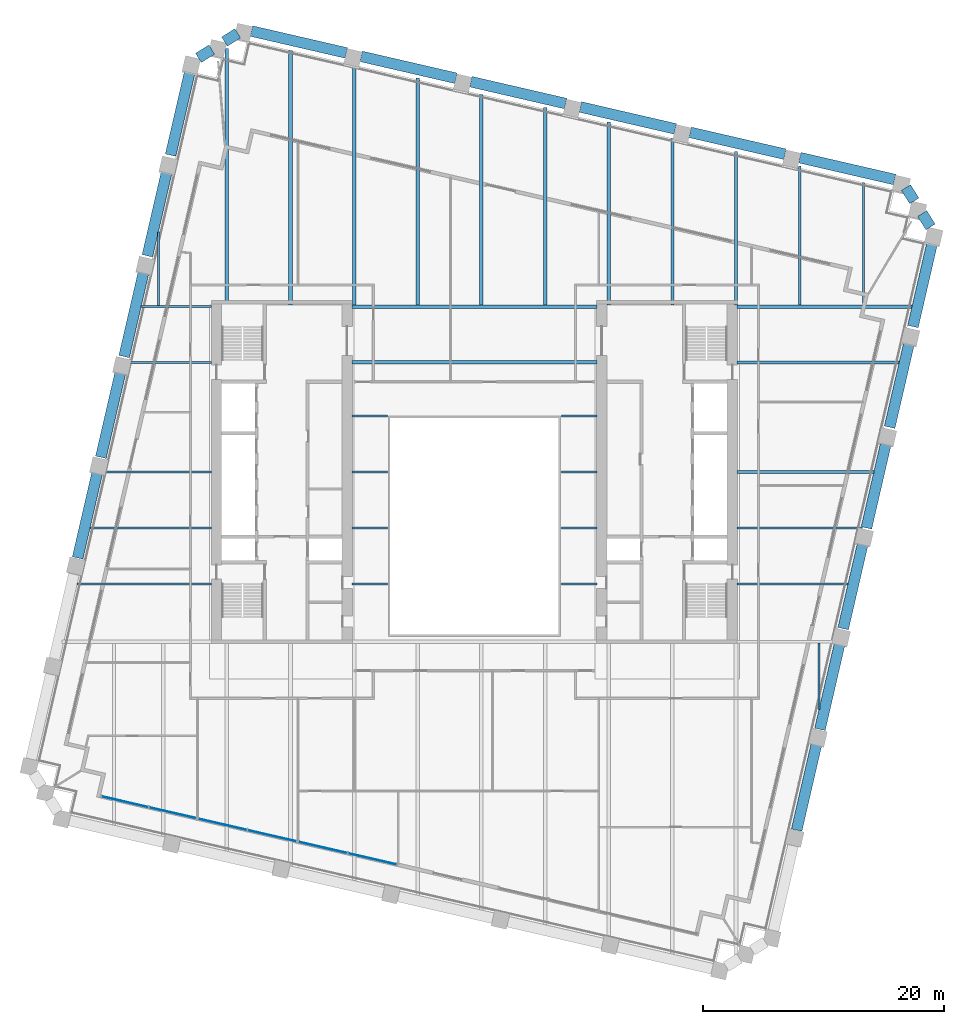
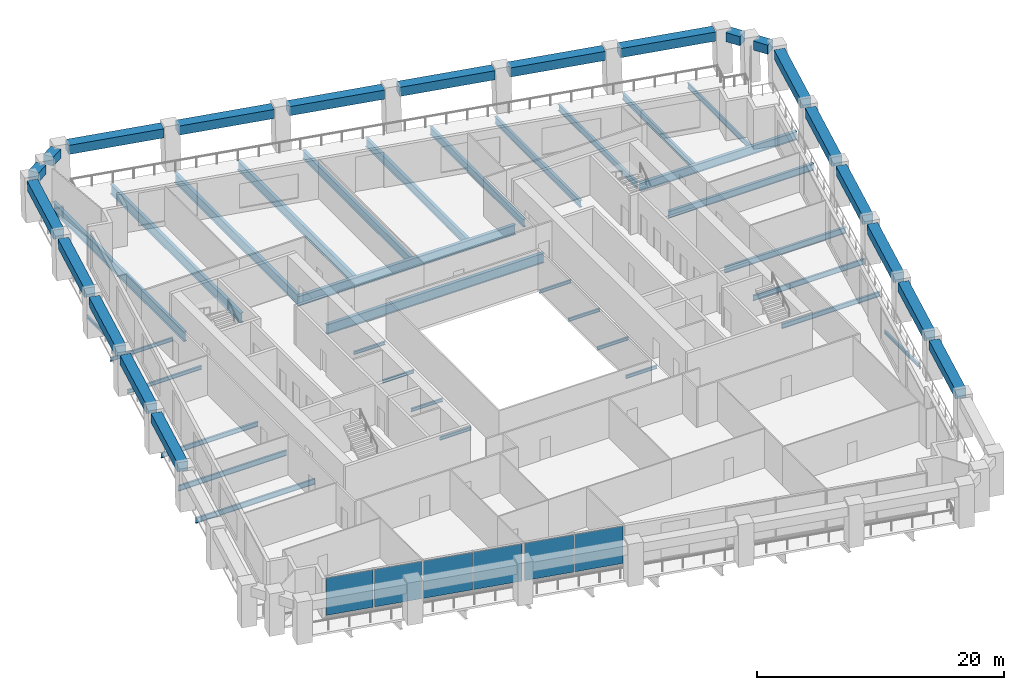
# One storey, part 4 of 12: 54 beams, 6 plates, 3 elements without a shape of their own.
"""IFC4 building model written with IfcOpenShell, lengths in metres."""

from ifc_helpers import new_model, si_unit, direction, frame, origin, origin_2d, place, context, subcontext, project, spatial, rectangle, i_section, extrude, material, layer, layer_set, material_profile, profile_set, type_object, element, aggregate, save


model = new_model("IFC4")

# Units and contexts
model_context = context("Model", 3, precision=1e-05, world=origin(), true_north=direction((0.0, 1.0)))
body_context = subcontext(model_context, "Body", "Model", "MODEL_VIEW")
ifc_project = project(units=[si_unit("LENGTHUNIT", "METRE"), si_unit("AREAUNIT", "SQUARE_METRE"), si_unit("VOLUMEUNIT", "CUBIC_METRE"), si_unit("PLANEANGLEUNIT", "RADIAN"), si_unit("MASSUNIT", "GRAM", prefix="KILO")], contexts=[model_context])

# Site, building, storey
site_placement = place(None, origin())
site = spatial("IfcSite", under=ifc_project, at=site_placement, CompositionType="ELEMENT")
building_placement = place(site_placement, origin())
building = spatial("IfcBuilding", under=site, at=building_placement, Name="Ogive Exchange Tower", CompositionType="ELEMENT")
storey_placement = place(building_placement, frame((0.0, 0.0, 156.0)))
storey = spatial("IfcBuildingStorey", under=building, at=storey_placement, Name="L34", CompositionType="ELEMENT", Elevation=156.0)

# Beams
ifc_material_1 = material(Name="Steel ASTM A992 Gr50", Category="steel")
ifc_material_profile_1 = material_profile(ifc_material_1, i_section(OverallWidth=0.300048828125, OverallDepth=0.969970703125, WebThickness=0.01611328125, FlangeThickness=0.02099609375, at=origin_2d()), Name="W1000x222")
ifc_profile_set_1 = profile_set([ifc_material_profile_1], Name="Steel ASTM A992 Gr50")
beam_type_1 = type_object("IfcBeamType", Name="Floor beam W1000x222", PredefinedType="JOIST", material=ifc_profile_set_1)
beam_1_placement = place(storey_placement, frame((-10.169921875, 20.62255859375, -0.735107421875), z_axis=(1.0, 0.0, 0.0), x_axis=(0.0, 1.0, 0.0)))
element("IfcBeam", 1, at=beam_1_placement, inside=storey, type_object=beam_type_1, Name="Floor beam", PredefinedType="JOIST", context=body_context, shape_type="SweptSolid", body=[
    extrude(i_section(OverallWidth=0.300048828125, OverallDepth=0.969970703125, WebThickness=0.01611328125, FlangeThickness=0.02099609375, at=origin_2d()), origin(), (0.0, 0.0, 1.0), 20.33984375),
])
beam_2_placement = place(storey_placement, frame((-9.99951171875, 25.39501953125, -0.735107421875), z_axis=(0.0, 1.0, 0.0), x_axis=(-1.0, 0.0, 0.0)))
element("IfcBeam", 2, at=beam_2_placement, inside=storey, type_object=beam_type_1, Name="Floor beam", PredefinedType="JOIST", context=body_context, shape_type="SweptSolid", body=[
    extrude(i_section(OverallWidth=0.300048828125, OverallDepth=0.969970703125, WebThickness=0.01611328125, FlangeThickness=0.02099609375, at=origin_2d()), origin(), (0.0, 0.0, 1.0), 19.9267578125),
])
ifc_material_profile_2 = material_profile(ifc_material_1, i_section(OverallWidth=0.300048828125, OverallDepth=0.97998046875, WebThickness=0.0166015625, FlangeThickness=0.026123046875, at=origin_2d()), Name="W1000x249")
ifc_profile_set_2 = profile_set([ifc_material_profile_2], Name="Steel ASTM A992 Gr50")
beam_type_2 = type_object("IfcBeamType", Name="Floor beam W1000x249", PredefinedType="JOIST", material=ifc_profile_set_2)
beam_3_placement = place(storey_placement, frame((-20.575927734375, 25.39990234375, -0.739990234375), z_axis=(0.0, 1.0, 0.0), x_axis=(-1.0, 0.0, 0.0)))
element("IfcBeam", 3, at=beam_3_placement, inside=storey, type_object=beam_type_2, Name="Floor beam", PredefinedType="JOIST", context=body_context, shape_type="SweptSolid", body=[
    extrude(i_section(OverallWidth=0.300048828125, OverallDepth=0.97998046875, WebThickness=0.0166015625, FlangeThickness=0.026123046875, at=origin_2d()), origin(), (0.0, 0.0, 1.0), 21.290283203125),
])
beam_4_placement = place(storey_placement, frame((-15.28759765625, 25.39990234375, -0.739990234375), z_axis=(0.0, 1.0, 0.0), x_axis=(-1.0, 0.0, 0.0)))
element("IfcBeam", 4, at=beam_4_placement, inside=storey, type_object=beam_type_2, Name="Floor beam", PredefinedType="JOIST", context=body_context, shape_type="SweptSolid", body=[
    extrude(i_section(OverallWidth=0.300048828125, OverallDepth=0.97998046875, WebThickness=0.0166015625, FlangeThickness=0.026123046875, at=origin_2d()), origin(), (0.0, 0.0, 1.0), 21.142578125),
])
ifc_material_profile_3 = material_profile(ifc_material_1, i_section(OverallWidth=0.1650390625, OverallDepth=0.31005859375, WebThickness=0.005859375, FlangeThickness=0.009765625, at=origin_2d()), Name="W310x38.7")
ifc_profile_set_3 = profile_set([ifc_material_profile_3], Name="Steel ASTM A992 Gr50")
beam_type_3 = type_object("IfcBeamType", Name="Floor beam W310x38.7", PredefinedType="JOIST", material=ifc_profile_set_3)
for number, where, z_axis, x_axis, name in (
    (5, (-10.169921875, 2.208740234375, -0.405029296875), (1.0, 0.0, 0.0), (0.0, 1.0, 0.0), "Floor beam"),
    (6, (7.219970703125, 2.208740234375, -0.405029296875), (1.0, 0.0, 0.0), (0.0, 1.0, 0.0), "Floor beam"),
    (7, (-10.169921875, 6.857421875, -0.405029296875), (1.0, 0.0, 0.0), (0.0, 1.0, 0.0), "Floor beam"),
    (8, (7.219970703125, 6.857421875, -0.405029296875), (1.0, 0.0, 0.0), (0.0, 1.0, 0.0), "Floor beam"),
    (9, (-10.169921875, 11.50634765625, -0.405029296875), (1.0, 0.0, 0.0), (0.0, 1.0, 0.0), "Floor beam"),
    (10, (7.219970703125, 11.50634765625, -0.405029296875), (1.0, 0.0, 0.0), (0.0, 1.0, 0.0), "Floor beam"),
):
    element("IfcBeam", number, at=place(storey_placement, frame(where, z_axis=z_axis, x_axis=x_axis)), inside=storey, type_object=beam_type_3, Name=name, PredefinedType="JOIST", context=body_context, shape_type="SweptSolid", body=[
        extrude(i_section(OverallWidth=0.1650390625, OverallDepth=0.31005859375, WebThickness=0.005859375, FlangeThickness=0.009765625, at=origin_2d()), origin(), (0.0, 0.0, 1.0), 2.949951171875),
    ])
beam_5_placement = place(storey_placement, frame((28.617431640625, -8.2412109375, -0.405029296875), z_axis=(0.0, 1.0, 0.0), x_axis=(-1.0, 0.0, 0.0)))
element("IfcBeam", 11, at=beam_5_placement, inside=storey, type_object=beam_type_3, Name="Floor beam", PredefinedType="JOIST", context=body_context, shape_type="SweptSolid", body=[
    extrude(i_section(OverallWidth=0.1650390625, OverallDepth=0.31005859375, WebThickness=0.005859375, FlangeThickness=0.009765625, at=origin_2d()), origin(), (0.0, 0.0, 1.0), 5.55078125),
])
beam_6_placement = place(storey_placement, frame((-26.263916015625, 25.33056640625, -0.405029296875), z_axis=(0.0, 1.0, 0.0), x_axis=(-1.0, 0.0, 0.0)))
element("IfcBeam", 12, at=beam_6_placement, inside=storey, type_object=beam_type_3, Name="Floor beam", PredefinedType="JOIST", context=body_context, shape_type="SweptSolid", body=[
    extrude(i_section(OverallWidth=0.1650390625, OverallDepth=0.31005859375, WebThickness=0.005859375, FlangeThickness=0.009765625, at=origin_2d()), origin(), (0.0, 0.0, 1.0), 6.1044921875),
])
ifc_material_profile_4 = material_profile(ifc_material_1, i_section(OverallWidth=0.1708984375, OverallDepth=0.35595703125, WebThickness=0.00732421875, FlangeThickness=0.01171875, at=origin_2d()), Name="W360x51")
ifc_profile_set_4 = profile_set([ifc_material_profile_4], Name="Steel ASTM A992 Gr50")
beam_type_4 = type_object("IfcBeamType", Name="Floor beam W360x51", PredefinedType="JOIST", material=ifc_profile_set_4)
beam_7_placement = place(storey_placement, frame((-28.76025390625, 20.62255859375, -0.427978515625), z_axis=(1.0, 0.0, 0.0), x_axis=(0.0, 1.0, 0.0)))
element("IfcBeam", 13, at=beam_7_placement, inside=storey, type_object=beam_type_4, Name="Floor beam", PredefinedType="JOIST", context=body_context, shape_type="SweptSolid", body=[
    extrude(i_section(OverallWidth=0.1708984375, OverallDepth=0.35595703125, WebThickness=0.00732421875, FlangeThickness=0.01171875, at=origin_2d()), origin(), (0.0, 0.0, 1.0), 6.93017578125),
])
ifc_material_profile_5 = material_profile(ifc_material_1, i_section(OverallWidth=0.19091796875, OverallDepth=0.45703125, WebThickness=0.009033203125, FlangeThickness=0.014404296875, at=origin_2d()), Name="W460x74")
ifc_profile_set_5 = profile_set([ifc_material_profile_5], Name="Steel ASTM A992 Gr50")
beam_type_5 = type_object("IfcBeamType", Name="Floor beam W460x74", PredefinedType="JOIST", material=ifc_profile_set_5)
beam_8_placement = place(storey_placement, frame((21.830078125, 2.208740234375, -0.478515625), z_axis=(1.0, 0.0, 0.0), x_axis=(0.0, 1.0, 0.0)))
element("IfcBeam", 14, at=beam_8_placement, inside=storey, type_object=beam_type_5, Name="Floor beam", PredefinedType="JOIST", context=body_context, shape_type="SweptSolid", body=[
    extrude(i_section(OverallWidth=0.19091796875, OverallDepth=0.45703125, WebThickness=0.009033203125, FlangeThickness=0.014404296875, at=origin_2d()), origin(), (0.0, 0.0, 1.0), 9.199951171875),
])
beam_9_placement = place(storey_placement, frame((-30.864990234375, 11.50634765625, -0.478515625), z_axis=(1.0, 0.0, 0.0), x_axis=(0.0, 1.0, 0.0)))
element("IfcBeam", 15, at=beam_9_placement, inside=storey, type_object=beam_type_5, Name="Floor beam", PredefinedType="JOIST", context=body_context, shape_type="SweptSolid", body=[
    extrude(i_section(OverallWidth=0.19091796875, OverallDepth=0.45703125, WebThickness=0.009033203125, FlangeThickness=0.014404296875, at=origin_2d()), origin(), (0.0, 0.0, 1.0), 9.034912109375),
])
ifc_material_profile_6 = material_profile(ifc_material_1, i_section(OverallWidth=0.1669921875, OverallDepth=0.535888671875, WebThickness=0.01025390625, FlangeThickness=0.0166015625, at=origin_2d()), Name="W530x85")
ifc_profile_set_6 = profile_set([ifc_material_profile_6], Name="Steel ASTM A992 Gr50")
beam_type_6 = type_object("IfcBeamType", Name="Floor beam W530x85", PredefinedType="JOIST", material=ifc_profile_set_6)
beam_10_placement = place(storey_placement, frame((-33.011474609375, 2.208740234375, -0.51806640625), z_axis=(1.0, 0.0, 0.0), x_axis=(0.0, 1.0, 0.0)))
element("IfcBeam", 16, at=beam_10_placement, inside=storey, type_object=beam_type_6, Name="Floor beam", PredefinedType="JOIST", context=body_context, shape_type="SweptSolid", body=[
    extrude(i_section(OverallWidth=0.1669921875, OverallDepth=0.535888671875, WebThickness=0.01025390625, FlangeThickness=0.0166015625, at=origin_2d()), origin(), (0.0, 0.0, 1.0), 11.181396484375),
])
beam_11_placement = place(storey_placement, frame((-31.938232421875, 6.857421875, -0.51806640625), z_axis=(1.0, 0.0, 0.0), x_axis=(0.0, 1.0, 0.0)))
element("IfcBeam", 17, at=beam_11_placement, inside=storey, type_object=beam_type_6, Name="Floor beam", PredefinedType="JOIST", context=body_context, shape_type="SweptSolid", body=[
    extrude(i_section(OverallWidth=0.1669921875, OverallDepth=0.535888671875, WebThickness=0.01025390625, FlangeThickness=0.0166015625, at=origin_2d()), origin(), (0.0, 0.0, 1.0), 10.108154296875),
])
beam_12_placement = place(storey_placement, frame((21.830078125, 6.857421875, -0.51806640625), z_axis=(1.0, 0.0, 0.0), x_axis=(0.0, 1.0, 0.0)))
element("IfcBeam", 18, at=beam_12_placement, inside=storey, type_object=beam_type_6, Name="Floor beam", PredefinedType="JOIST", context=body_context, shape_type="SweptSolid", body=[
    extrude(i_section(OverallWidth=0.1669921875, OverallDepth=0.535888671875, WebThickness=0.01025390625, FlangeThickness=0.0166015625, at=origin_2d()), origin(), (0.0, 0.0, 1.0), 10.423095703125),
])
beam_13_placement = place(storey_placement, frame((32.305419921875, 25.39111328125, -0.51806640625), z_axis=(0.0, 1.0, 0.0), x_axis=(-1.0, 0.0, 0.0)))
element("IfcBeam", 19, at=beam_13_placement, inside=storey, type_object=beam_type_6, Name="Floor beam", PredefinedType="JOIST", context=body_context, shape_type="SweptSolid", body=[
    extrude(i_section(OverallWidth=0.1669921875, OverallDepth=0.535888671875, WebThickness=0.01025390625, FlangeThickness=0.0166015625, at=origin_2d()), origin(), (0.0, 0.0, 1.0), 10.16357421875),
])
ifc_material_profile_7 = material_profile(ifc_material_1, i_section(OverallWidth=0.22802734375, OverallDepth=0.60205078125, WebThickness=0.010498046875, FlangeThickness=0.014892578125, at=origin_2d()), Name="W610x101")
ifc_profile_set_7 = profile_set([ifc_material_profile_7], Name="Steel ASTM A992 Gr50")
beam_type_7 = type_object("IfcBeamType", Name="Floor beam W610x101", PredefinedType="JOIST", material=ifc_profile_set_7)
beam_14_placement = place(storey_placement, frame((21.830078125, 11.50634765625, -0.551025390625), z_axis=(1.0, 0.0, 0.0), x_axis=(0.0, 1.0, 0.0)))
element("IfcBeam", 20, at=beam_14_placement, inside=storey, type_object=beam_type_7, Name="Floor beam", PredefinedType="JOIST", context=body_context, shape_type="SweptSolid", body=[
    extrude(i_section(OverallWidth=0.22802734375, OverallDepth=0.60205078125, WebThickness=0.010498046875, FlangeThickness=0.014892578125, at=origin_2d()), origin(), (0.0, 0.0, 1.0), 11.346435546875),
])
beam_15_placement = place(storey_placement, frame((27.017333984375, 25.39111328125, -0.551025390625), z_axis=(0.0, 1.0, 0.0), x_axis=(-1.0, 0.0, 0.0)))
element("IfcBeam", 21, at=beam_15_placement, inside=storey, type_object=beam_type_7, Name="Floor beam", PredefinedType="JOIST", context=body_context, shape_type="SweptSolid", body=[
    extrude(i_section(OverallWidth=0.22802734375, OverallDepth=0.60205078125, WebThickness=0.010498046875, FlangeThickness=0.014892578125, at=origin_2d()), origin(), (0.0, 0.0, 1.0), 11.534423828125),
])
ifc_material_profile_8 = material_profile(ifc_material_1, i_section(OverallWidth=0.22900390625, OverallDepth=0.612060546875, WebThickness=0.011962890625, FlangeThickness=0.01953125, at=origin_2d()), Name="W610x125")
ifc_profile_set_8 = profile_set([ifc_material_profile_8], Name="Steel ASTM A992 Gr50")
beam_type_8 = type_object("IfcBeamType", Name="Floor beam W610x125", PredefinedType="JOIST", material=ifc_profile_set_8)
beam_16_placement = place(storey_placement, frame((21.729248046875, 25.39990234375, -0.555908203125), z_axis=(0.0, 1.0, 0.0), x_axis=(-1.0, 0.0, 0.0)))
element("IfcBeam", 22, at=beam_16_placement, inside=storey, type_object=beam_type_8, Name="Floor beam", PredefinedType="JOIST", context=body_context, shape_type="SweptSolid", body=[
    extrude(i_section(OverallWidth=0.22900390625, OverallDepth=0.612060546875, WebThickness=0.011962890625, FlangeThickness=0.01953125, at=origin_2d()), origin(), (0.0, 0.0, 1.0), 12.74658203125),
])
ifc_material_profile_9 = material_profile(ifc_material_1, i_section(OverallWidth=0.25390625, OverallDepth=0.677978515625, WebThickness=0.01171875, FlangeThickness=0.016357421875, at=origin_2d()), Name="W690x125")
ifc_profile_set_9 = profile_set([ifc_material_profile_9], Name="Steel ASTM A992 Gr50")
beam_type_9 = type_object("IfcBeamType", Name="Floor beam W690x125", PredefinedType="JOIST", material=ifc_profile_set_9)
beam_17_placement = place(storey_placement, frame((21.830078125, 20.62255859375, -0.589111328125), z_axis=(1.0, 0.0, 0.0), x_axis=(0.0, 1.0, 0.0)))
element("IfcBeam", 23, at=beam_17_placement, inside=storey, type_object=beam_type_9, Name="Floor beam", PredefinedType="JOIST", context=body_context, shape_type="SweptSolid", body=[
    extrude(i_section(OverallWidth=0.25390625, OverallDepth=0.677978515625, WebThickness=0.01171875, FlangeThickness=0.016357421875, at=origin_2d()), origin(), (0.0, 0.0, 1.0), 13.60107421875),
])
beam_18_placement = place(storey_placement, frame((16.441162109375, 25.39990234375, -0.589111328125), z_axis=(0.0, 1.0, 0.0), x_axis=(-1.0, 0.0, 0.0)))
element("IfcBeam", 24, at=beam_18_placement, inside=storey, type_object=beam_type_9, Name="Floor beam", PredefinedType="JOIST", context=body_context, shape_type="SweptSolid", body=[
    extrude(i_section(OverallWidth=0.25390625, OverallDepth=0.677978515625, WebThickness=0.01171875, FlangeThickness=0.016357421875, at=origin_2d()), origin(), (0.0, 0.0, 1.0), 13.8173828125),
])
ifc_material_profile_10 = material_profile(ifc_material_1, i_section(OverallWidth=0.26708984375, OverallDepth=0.75390625, WebThickness=0.01318359375, FlangeThickness=0.01708984375, at=origin_2d()), Name="W760x147")
ifc_profile_set_10 = profile_set([ifc_material_profile_10], Name="Steel ASTM A992 Gr50")
beam_type_10 = type_object("IfcBeamType", Name="Floor beam W760x147", PredefinedType="JOIST", material=ifc_profile_set_10)
beam_19_placement = place(storey_placement, frame((11.153076171875, 25.39990234375, -0.626953125), z_axis=(0.0, 1.0, 0.0), x_axis=(-1.0, 0.0, 0.0)))
element("IfcBeam", 25, at=beam_19_placement, inside=storey, type_object=beam_type_10, Name="Floor beam", PredefinedType="JOIST", context=body_context, shape_type="SweptSolid", body=[
    extrude(i_section(OverallWidth=0.26708984375, OverallDepth=0.75390625, WebThickness=0.01318359375, FlangeThickness=0.01708984375, at=origin_2d()), origin(), (0.0, 0.0, 1.0), 15.188232421875),
])
ifc_material_profile_11 = material_profile(ifc_material_1, i_section(OverallWidth=0.2919921875, OverallDepth=0.8359375, WebThickness=0.013916015625, FlangeThickness=0.018798828125, at=origin_2d()), Name="W840x176")
ifc_profile_set_11 = profile_set([ifc_material_profile_11], Name="Steel ASTM A992 Gr50")
beam_type_11 = type_object("IfcBeamType", Name="Floor beam W840x176", PredefinedType="JOIST", material=ifc_profile_set_11)
beam_20_placement = place(storey_placement, frame((0.57666015625, 25.39501953125, -0.66796875), z_axis=(0.0, 1.0, 0.0), x_axis=(-1.0, 0.0, 0.0)))
element("IfcBeam", 26, at=beam_20_placement, inside=storey, type_object=beam_type_11, Name="Floor beam", PredefinedType="JOIST", context=body_context, shape_type="SweptSolid", body=[
    extrude(i_section(OverallWidth=0.2919921875, OverallDepth=0.8359375, WebThickness=0.013916015625, FlangeThickness=0.018798828125, at=origin_2d()), origin(), (0.0, 0.0, 1.0), 17.48486328125),
])
beam_21_placement = place(storey_placement, frame((5.86474609375, 25.39501953125, -0.66796875), z_axis=(0.0, 1.0, 0.0), x_axis=(-1.0, 0.0, 0.0)))
element("IfcBeam", 27, at=beam_21_placement, inside=storey, type_object=beam_type_11, Name="Floor beam", PredefinedType="JOIST", context=body_context, shape_type="SweptSolid", body=[
    extrude(i_section(OverallWidth=0.2919921875, OverallDepth=0.8359375, WebThickness=0.013916015625, FlangeThickness=0.018798828125, at=origin_2d()), origin(), (0.0, 0.0, 1.0), 16.4140625),
])
ifc_material_profile_12 = material_profile(ifc_material_1, i_section(OverallWidth=0.304931640625, OverallDepth=0.904052734375, WebThickness=0.01513671875, FlangeThickness=0.02001953125, at=origin_2d()), Name="W920x201")
ifc_profile_set_12 = profile_set([ifc_material_profile_12], Name="Steel ASTM A992 Gr50")
beam_type_12 = type_object("IfcBeamType", Name="Floor beam W920x201", PredefinedType="JOIST", material=ifc_profile_set_12)
beam_22_placement = place(storey_placement, frame((-4.71142578125, 25.39501953125, -0.701904296875), z_axis=(0.0, 1.0, 0.0), x_axis=(-1.0, 0.0, 0.0)))
element("IfcBeam", 28, at=beam_22_placement, inside=storey, type_object=beam_type_12, Name="Floor beam", PredefinedType="JOIST", context=body_context, shape_type="SweptSolid", body=[
    extrude(i_section(OverallWidth=0.304931640625, OverallDepth=0.904052734375, WebThickness=0.01513671875, FlangeThickness=0.02001953125, at=origin_2d()), origin(), (0.0, 0.0, 1.0), 18.855712890625),
])
ifc_material_profile_13 = material_profile(ifc_material_1, i_section(OverallWidth=0.300048828125, OverallDepth=0.97998046875, WebThickness=0.0166015625, FlangeThickness=0.026123046875, at=origin_2d()), Name="W1000x249")
ifc_profile_set_13 = profile_set([ifc_material_profile_13], Name="Steel ASTM A992 Gr50")
beam_type_13 = type_object("IfcBeamType", Name="Girder W1000x249", PredefinedType="BEAM", material=ifc_profile_set_13)
beam_23_placement = place(storey_placement, frame((-10.169921875, 25.2451171875, -0.739990234375), z_axis=(1.0, 0.0, 0.0), x_axis=(0.0, 1.0, 0.0)))
element("IfcBeam", 29, at=beam_23_placement, inside=storey, type_object=beam_type_13, Name="Header girder", PredefinedType="BEAM", context=body_context, shape_type="SweptSolid", body=[
    extrude(i_section(OverallWidth=0.300048828125, OverallDepth=0.97998046875, WebThickness=0.0166015625, FlangeThickness=0.026123046875, at=origin_2d()), origin(), (0.0, 0.0, 1.0), 20.33984375),
])
ifc_material_profile_14 = material_profile(ifc_material_1, i_section(OverallWidth=0.1650390625, OverallDepth=0.31005859375, WebThickness=0.005859375, FlangeThickness=0.009765625, at=origin_2d()), Name="W310x38.7")
ifc_profile_set_14 = profile_set([ifc_material_profile_14], Name="Steel ASTM A992 Gr50")
beam_type_14 = type_object("IfcBeamType", Name="Girder W310x38.7", PredefinedType="BEAM", material=ifc_profile_set_14)
for number, where, z_axis, x_axis, name in (
    (30, (-10.169921875, 16.155029296875, -0.405029296875), (1.0, 0.0, 0.0), (0.0, 1.0, 0.0), "Trimmer girder"),
    (31, (7.219970703125, 16.155029296875, -0.405029296875), (1.0, 0.0, 0.0), (0.0, 1.0, 0.0), "Trimmer girder"),
):
    element("IfcBeam", number, at=place(storey_placement, frame(where, z_axis=z_axis, x_axis=x_axis)), inside=storey, type_object=beam_type_14, Name=name, PredefinedType="BEAM", context=body_context, shape_type="SweptSolid", body=[
        extrude(i_section(OverallWidth=0.1650390625, OverallDepth=0.31005859375, WebThickness=0.005859375, FlangeThickness=0.009765625, at=origin_2d()), origin(), (0.0, 0.0, 1.0), 2.949951171875),
    ])
ifc_material_profile_15 = material_profile(ifc_material_1, i_section(OverallWidth=0.1708984375, OverallDepth=0.35595703125, WebThickness=0.00732421875, FlangeThickness=0.01171875, at=origin_2d()), Name="W360x51")
ifc_profile_set_15 = profile_set([ifc_material_profile_15], Name="Steel ASTM A992 Gr50")
beam_type_15 = type_object("IfcBeamType", Name="Girder W360x51", PredefinedType="BEAM", material=ifc_profile_set_15)
beam_24_placement = place(storey_placement, frame((-27.693115234375, 25.2451171875, -0.427978515625), z_axis=(1.0, 0.0, 0.0), x_axis=(0.0, 1.0, 0.0)))
element("IfcBeam", 32, at=beam_24_placement, inside=storey, type_object=beam_type_15, Name="Header girder", PredefinedType="BEAM", context=body_context, shape_type="SweptSolid", body=[
    extrude(i_section(OverallWidth=0.1708984375, OverallDepth=0.35595703125, WebThickness=0.00732421875, FlangeThickness=0.01171875, at=origin_2d()), origin(), (0.0, 0.0, 1.0), 5.863037109375),
])
ifc_material_profile_16 = material_profile(ifc_material_1, i_section(OverallWidth=0.2919921875, OverallDepth=0.8359375, WebThickness=0.013916015625, FlangeThickness=0.018798828125, at=origin_2d()), Name="W840x176")
ifc_profile_set_16 = profile_set([ifc_material_profile_16], Name="Steel ASTM A992 Gr50")
beam_type_16 = type_object("IfcBeamType", Name="Girder W840x176", PredefinedType="BEAM", material=ifc_profile_set_16)
beam_25_placement = place(storey_placement, frame((21.830078125, 25.2451171875, -0.66796875), z_axis=(1.0, 0.0, 0.0), x_axis=(0.0, 1.0, 0.0)))
element("IfcBeam", 33, at=beam_25_placement, inside=storey, type_object=beam_type_16, Name="Header girder", PredefinedType="BEAM", context=body_context, shape_type="SweptSolid", body=[
    extrude(i_section(OverallWidth=0.2919921875, OverallDepth=0.8359375, WebThickness=0.013916015625, FlangeThickness=0.018798828125, at=origin_2d()), origin(), (0.0, 0.0, 1.0), 14.668212890625),
])
ifc_material_2 = material(Name="Precast concrete C70/85 (limestone faced)", Category="masonry")
ifc_material_profile_17 = material_profile(ifc_material_2, rectangle(XDim=0.89990234375, YDim=0.89990234375, at=origin_2d()), Name="900 x 900")
ifc_profile_set_17 = profile_set([ifc_material_profile_17], Name="Precast concrete C70/85 (limestone faced)")
beam_type_17 = type_object("IfcBeamType", Name="Precast spandrel 900 x 900 C70/85", PredefinedType="SPANDREL", material=ifc_profile_set_17)
for number, where, z_axis, x_axis, name in (
    (34, (26.77099609375, -18.2392578125, 3.5), (0.224949547108, 0.974370412757, 0.0), (-0.974370412757, 0.224949547108, 0.0), "Spandrel 10"),
    (35, (28.70263671875, -9.872314453125, 3.5), (0.224949547108, 0.974370412757, 0.0), (-0.974370412757, 0.224949547108, 0.0), "Spandrel 11"),
    (36, (30.63427734375, -1.50537109375, 3.5), (0.224981181559, 0.974363108879, 0.0), (-0.974363108879, 0.224981181559, 0.0), "Spandrel 12"),
    (37, (32.56591796875, 6.861572265625, 3.5), (0.224949547108, 0.974370412757, 0.0), (-0.974370412757, 0.224949547108, 0.0), "Spandrel 13"),
    (38, (34.497802734375, 15.228515625, 3.5), (0.224949547108, 0.974370412757, 0.0), (-0.974370412757, 0.224949547108, 0.0), "Spandrel 14"),
    (39, (36.42919921875, 23.595458984375, 3.5), (0.224949547108, 0.974370412757, 0.0), (-0.974370412757, 0.224949547108, 0.0), "Spandrel 15"),
):
    element("IfcBeam", number, at=place(storey_placement, frame(where, z_axis=z_axis, x_axis=x_axis)), inside=storey, type_object=beam_type_17, Name=name, PredefinedType="SPANDREL", context=body_context, shape_type="SweptSolid", body=[
        extrude(rectangle(XDim=0.89990234375, YDim=0.89990234375, at=origin_2d()), origin(), (0.0, 0.0, 1.0), 7.326904296875),
    ])
for number, where, z_axis, x_axis, name in (
    (40, (37.89111328125, 31.87353515625, 3.5), (-0.529847842077, 0.848092721491, 0.0), (-0.848092721491, -0.529847842077, 0.0), "Spandrel 16"),
    (41, (36.542236328125, 34.032470703125, 3.5), (-0.529931776808, 0.848040277303, 0.0), (-0.848040277303, -0.529931776808, 0.0), "Spandrel 17"),
):
    element("IfcBeam", number, at=place(storey_placement, frame(where, z_axis=z_axis, x_axis=x_axis)), inside=storey, type_object=beam_type_17, Name=name, PredefinedType="SPANDREL", context=body_context, shape_type="SweptSolid", body=[
        extrude(rectangle(XDim=0.89990234375, YDim=0.89990234375, at=origin_2d()), origin(), (0.0, 0.0, 1.0), 1.30712890625),
    ])
for number, where, z_axis, x_axis, name in (
    (42, (34.907470703125, 35.807861328125, 3.5), (-0.974370337884, 0.224949871421, 0.0), (-0.224949871421, -0.974370337884, 0.0), "Spandrel 18"),
    (43, (25.797119140625, 37.9111328125, 3.5), (-0.974370337884, 0.224949871421, 0.0), (-0.224949871421, -0.974370337884, 0.0), "Spandrel 19"),
    (44, (16.686767578125, 40.014404296875, 3.5), (-0.974370337884, 0.224949871421, 0.0), (-0.224949871421, -0.974370337884, 0.0), "Spandrel 20"),
    (45, (7.576416015625, 42.11767578125, 3.5), (-0.974370337884, 0.224949871421, 0.0), (-0.224949871421, -0.974370337884, 0.0), "Spandrel 21"),
    (46, (-1.533935546875, 44.220947265625, 3.5), (-0.974370337884, 0.224949871421, 0.0), (-0.224949871421, -0.974370337884, 0.0), "Spandrel 22"),
):
    element("IfcBeam", number, at=place(storey_placement, frame(where, z_axis=z_axis, x_axis=x_axis)), inside=storey, type_object=beam_type_17, Name=name, PredefinedType="SPANDREL", context=body_context, shape_type="SweptSolid", body=[
        extrude(rectangle(XDim=0.89990234375, YDim=0.89990234375, at=origin_2d()), origin(), (0.0, 0.0, 1.0), 8.08984375),
    ])
beam_26_placement = place(storey_placement, frame((-10.644287109375, 46.32421875, 3.5), z_axis=(-0.974371864918, 0.224943256972, 0.0), x_axis=(-0.224943256972, -0.974371864918, 0.0)))
element("IfcBeam", 47, at=beam_26_placement, inside=storey, type_object=beam_type_17, Name="Spandrel 23", PredefinedType="SPANDREL", context=body_context, shape_type="SweptSolid", body=[
    extrude(rectangle(XDim=0.89990234375, YDim=0.89990234375, at=origin_2d()), origin(), (0.0, 0.0, 1.0), 8.090087890625),
])
for number, where, z_axis, x_axis, name in (
    (48, (-19.666015625, 47.957763671875, 3.5), (-0.847956329543, -0.530066093226, 0.0), (0.530066093226, -0.847956329543, 0.0), "Spandrel 24"),
    (49, (-21.82470703125, 46.608642578125, 3.5), (-0.848040277303, -0.529931776808, 0.0), (0.529931776808, -0.848040277303, 0.0), "Spandrel 25"),
):
    element("IfcBeam", number, at=place(storey_placement, frame(where, z_axis=z_axis, x_axis=x_axis)), inside=storey, type_object=beam_type_17, Name=name, PredefinedType="SPANDREL", context=body_context, shape_type="SweptSolid", body=[
        extrude(rectangle(XDim=0.89990234375, YDim=0.89990234375, at=origin_2d()), origin(), (0.0, 0.0, 1.0), 1.30712890625),
    ])
beam_27_placement = place(storey_placement, frame((-23.60009765625, 44.97412109375, 3.5), z_axis=(-0.224942243919, -0.97437209879, 0.0), x_axis=(0.97437209879, -0.224942243919, 0.0)))
element("IfcBeam", 50, at=beam_27_placement, inside=storey, type_object=beam_type_17, Name="Spandrel 26", PredefinedType="SPANDREL", context=body_context, shape_type="SweptSolid", body=[
    extrude(rectangle(XDim=0.89990234375, YDim=0.89990234375, at=origin_2d()), origin(), (0.0, 0.0, 1.0), 7.3271484375),
])
for number, where, z_axis, x_axis, name in (
    (51, (-25.53173828125, 36.607177734375, 3.5), (-0.224949547108, -0.974370412757, 0.0), (0.974370412757, -0.224949547108, 0.0), "Spandrel 27"),
    (52, (-27.46337890625, 28.240234375, 3.5), (-0.224949547108, -0.974370412757, 0.0), (0.974370412757, -0.224949547108, 0.0), "Spandrel 28"),
):
    element("IfcBeam", number, at=place(storey_placement, frame(where, z_axis=z_axis, x_axis=x_axis)), inside=storey, type_object=beam_type_17, Name=name, PredefinedType="SPANDREL", context=body_context, shape_type="SweptSolid", body=[
        extrude(rectangle(XDim=0.89990234375, YDim=0.89990234375, at=origin_2d()), origin(), (0.0, 0.0, 1.0), 7.326904296875),
    ])
beam_28_placement = place(storey_placement, frame((-29.39501953125, 19.873291015625, 3.5), z_axis=(-0.224942243919, -0.97437209879, 0.0), x_axis=(0.97437209879, -0.224942243919, 0.0)))
element("IfcBeam", 53, at=beam_28_placement, inside=storey, type_object=beam_type_17, Name="Spandrel 29", PredefinedType="SPANDREL", context=body_context, shape_type="SweptSolid", body=[
    extrude(rectangle(XDim=0.89990234375, YDim=0.89990234375, at=origin_2d()), origin(), (0.0, 0.0, 1.0), 7.3271484375),
])
beam_29_placement = place(storey_placement, frame((-31.32666015625, 11.50634765625, 3.5), z_axis=(-0.224949547108, -0.974370412757, 0.0), x_axis=(0.974370412757, -0.224949547108, 0.0)))
element("IfcBeam", 54, at=beam_29_placement, inside=storey, type_object=beam_type_17, Name="Spandrel 30", PredefinedType="SPANDREL", context=body_context, shape_type="SweptSolid", body=[
    extrude(rectangle(XDim=0.89990234375, YDim=0.89990234375, at=origin_2d()), origin(), (0.0, 0.0, 1.0), 7.326904296875),
])

# Curtain wall, plates
ifc_material_3 = material(Name="Anodised aluminium and clear glass", Category="aluminium")
curtain_wall_type = type_object("IfcCurtainWallType", Name="Executive floor glazing", PredefinedType="NOTDEFINED", material=ifc_material_3)
curtain_wall_1_placement = place(storey_placement, origin())
curtain_wall_1 = element("IfcCurtainWall", 55, at=curtain_wall_1_placement, inside=storey, type_object=curtain_wall_type, Name="Executive floor glazing run G1", PredefinedType="NOTDEFINED")
ifc_material_4 = material(Name="Clear glass", Category="glass")
ifc_layer = layer(ifc_material_4, 0.048095703125)
ifc_layer_set = layer_set([ifc_layer], Name="Solar-control laminated glass panel 48")
plate_type = type_object("IfcPlateType", Name="Solar-control laminated glass panel 48", PredefinedType="CURTAIN_PANEL", material=ifc_layer_set)
plate_1_placement = place(storey_placement, frame((-29.043701171875, -15.890380859375, 0.10009765625), z_axis=(0.0, 0.0, 1.0), x_axis=(0.974370966882, -0.224947146898, 0.0)))
plate_1 = element("IfcPlate", 56, at=plate_1_placement, type_object=plate_type, Name="G1 panel 1.1", PredefinedType="CURTAIN_PANEL", context=body_context, shape_type="SweptSolid", body=[
    extrude(rectangle(XDim=3.974853515625, YDim=0.048095703125, at=origin_2d()), origin(), (0.0, 0.0, 1.0), 3.699951171875),
])
plate_2_placement = place(storey_placement, frame((-25.072998046875, -16.80712890625, 0.10009765625), z_axis=(0.0, 0.0, 1.0), x_axis=(0.974370966882, -0.224947146898, 0.0)))
plate_2 = element("IfcPlate", 57, at=plate_2_placement, type_object=plate_type, Name="G1 panel 2.1", PredefinedType="CURTAIN_PANEL", context=body_context, shape_type="SweptSolid", body=[
    extrude(rectangle(XDim=3.974853515625, YDim=0.048095703125, at=origin_2d()), origin(), (0.0, 0.0, 1.0), 3.699951171875),
])
aggregate(curtain_wall_1, [plate_1, plate_2])

curtain_wall_2_placement = place(storey_placement, origin())
curtain_wall_2 = element("IfcCurtainWall", 58, at=curtain_wall_2_placement, inside=storey, type_object=curtain_wall_type, Name="Executive floor glazing run G2", PredefinedType="NOTDEFINED")
plate_3_placement = place(storey_placement, frame((-20.93212890625, -17.76318359375, 0.10009765625), z_axis=(0.0, 0.0, 1.0), x_axis=(0.974368521846, -0.224957737445, 0.0)))
plate_3 = element("IfcPlate", 59, at=plate_3_placement, type_object=plate_type, Name="G2 panel 1.1", PredefinedType="CURTAIN_PANEL", context=body_context, shape_type="SweptSolid", body=[
    extrude(rectangle(XDim=4.125, YDim=0.048095703125, at=origin_2d()), origin(), (0.0, 0.0, 1.0), 3.699951171875),
])
plate_4_placement = place(storey_placement, frame((-16.815185546875, -18.713623046875, 0.10009765625), z_axis=(0.0, 0.0, 1.0), x_axis=(0.974368521846, -0.224957737445, 0.0)))
plate_4 = element("IfcPlate", 60, at=plate_4_placement, type_object=plate_type, Name="G2 panel 2.1", PredefinedType="CURTAIN_PANEL", context=body_context, shape_type="SweptSolid", body=[
    extrude(rectangle(XDim=4.125, YDim=0.048095703125, at=origin_2d()), origin(), (0.0, 0.0, 1.0), 3.699951171875),
])
aggregate(curtain_wall_2, [plate_3, plate_4])

curtain_wall_3_placement = place(storey_placement, origin())
curtain_wall_3 = element("IfcCurtainWall", 61, at=curtain_wall_3_placement, inside=storey, type_object=curtain_wall_type, Name="Executive floor glazing run G3", PredefinedType="NOTDEFINED")
plate_5_placement = place(storey_placement, frame((-12.60107421875, -19.6865234375, 0.10009765625), z_axis=(0.0, 0.0, 1.0), x_axis=(0.974370493588, -0.224949196986, 0.0)))
plate_5 = element("IfcPlate", 62, at=plate_5_placement, type_object=plate_type, Name="G3 panel 1.1", PredefinedType="CURTAIN_PANEL", context=body_context, shape_type="SweptSolid", body=[
    extrude(rectangle(XDim=4.125, YDim=0.048095703125, at=origin_2d()), origin(), (0.0, 0.0, 1.0), 3.699951171875),
])
plate_6_placement = place(storey_placement, frame((-8.484375, -20.636962890625, 0.10009765625), z_axis=(0.0, 0.0, 1.0), x_axis=(0.974370493588, -0.224949196986, 0.0)))
plate_6 = element("IfcPlate", 63, at=plate_6_placement, type_object=plate_type, Name="G3 panel 2.1", PredefinedType="CURTAIN_PANEL", context=body_context, shape_type="SweptSolid", body=[
    extrude(rectangle(XDim=4.125, YDim=0.048095703125, at=origin_2d()), origin(), (0.0, 0.0, 1.0), 3.699951171875),
])
aggregate(curtain_wall_3, [plate_5, plate_6])

save(model, "model.ifc")
